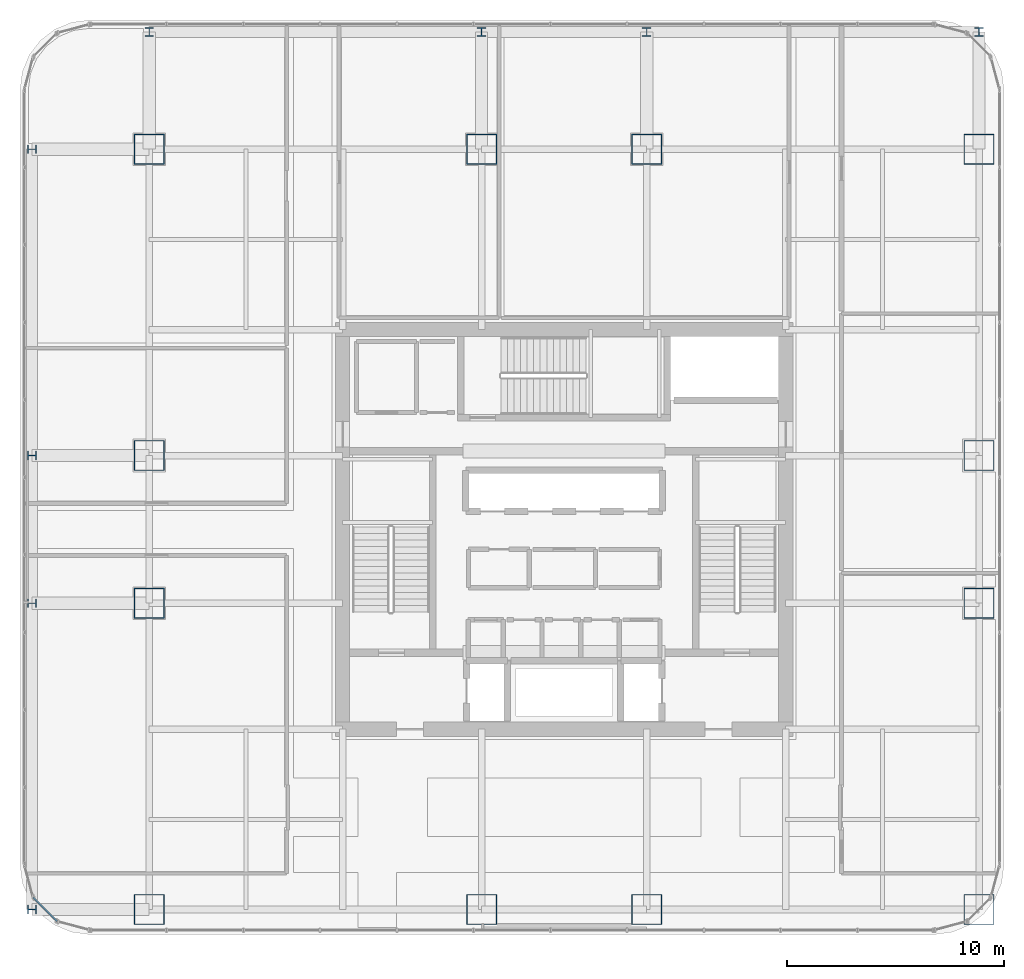
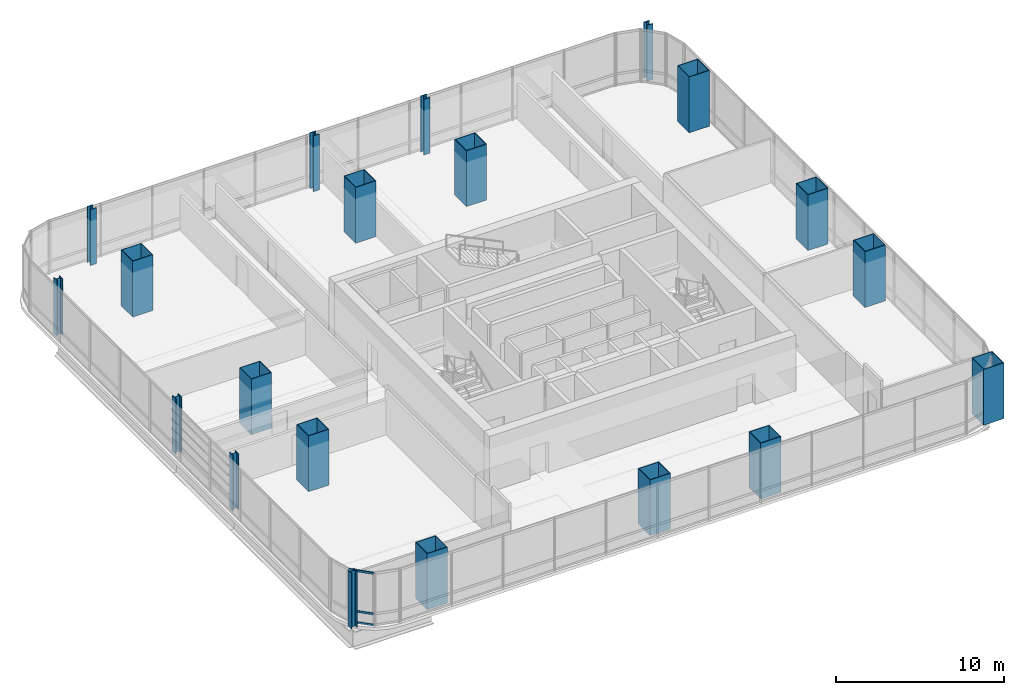
# One storey, part 1 of 38: 20 columns, 3 members, 1 element without a shape of its own.
"""IFC4 building model written with IfcOpenShell, lengths in metres."""

from ifc_helpers import new_model, si_unit, direction, frame, origin, origin_2d, place, context, subcontext, project, spatial, hollow_rectangle, i_section, extrude, material, material_profile, profile_set, type_object, element, aggregate, save


model = new_model("IFC4")

# Units and contexts
model_context = context("Model", 3, precision=1e-05, world=origin(), true_north=direction((0.0, 1.0)))
body_context = subcontext(model_context, "Body", "Model", "MODEL_VIEW")
ifc_project = project(units=[si_unit("LENGTHUNIT", "METRE"), si_unit("AREAUNIT", "SQUARE_METRE"), si_unit("VOLUMEUNIT", "CUBIC_METRE"), si_unit("PLANEANGLEUNIT", "RADIAN"), si_unit("MASSUNIT", "GRAM", prefix="KILO")], contexts=[model_context])

# Site, building, storey
site_placement = place(None, origin())
site = spatial("IfcSite", under=ifc_project, at=site_placement, CompositionType="ELEMENT")
building_placement = place(site_placement, origin())
building = spatial("IfcBuilding", under=site, at=building_placement, Name="Punatoya Terracotta Tower", CompositionType="ELEMENT")
storey_placement = place(building_placement, frame((0.0, 0.0, 147.89990234375)))
storey = spatial("IfcBuildingStorey", under=building, at=storey_placement, Name="L34", CompositionType="ELEMENT", Elevation=147.89990234375)

# Columns
ifc_material_1 = material(Name="Steel S460", Category="steel")
ifc_material_profile_1 = material_profile(ifc_material_1, i_section(OverallWidth=0.408935546875, OverallDepth=0.425048828125, WebThickness=0.031982421875, FlangeThickness=0.052001953125, FilletRadius=0.01806640625, at=origin_2d()))
ifc_profile_set_1 = profile_set([ifc_material_profile_1], Name="Steel S460")
column_type_1 = type_object("IfcColumnType", Name="COL-EX-M2", PredefinedType="COLUMN", material=ifc_profile_set_1)
for number, where, z_axis, x_axis, name in (
    (1, (-19.10009765625, 22.89990234375, 0.0), (0.0, 0.0, 1.0), (1.0, 0.0, 0.0), "L34 Exoskeleton Perimeter Column N1"),
    (2, (-3.800048828125, 22.89990234375, 0.0), (0.0, 0.0, 1.0), (1.0, 0.0, 0.0), "L34 Exoskeleton Perimeter Column N2"),
    (3, (3.800048828125, 22.89990234375, 0.0), (0.0, 0.0, 1.0), (1.0, 0.0, 0.0), "L34 Exoskeleton Perimeter Column N3"),
    (4, (19.10009765625, 22.89990234375, 0.0), (0.0, 0.0, 1.0), (1.0, 0.0, 0.0), "L34 Exoskeleton Perimeter Column N4"),
    (5, (-24.5, -17.5, 0.0), (0.0, 0.0, 1.0), (0.0, 1.0, 0.0), "L34 Exoskeleton Perimeter Column W1"),
    (6, (-24.5, -3.39990234375, 0.0), (0.0, 0.0, 1.0), (0.0, 1.0, 0.0), "L34 Exoskeleton Perimeter Column W2"),
    (7, (-24.5, 3.39990234375, 0.0), (0.0, 0.0, 1.0), (0.0, 1.0, 0.0), "L34 Exoskeleton Perimeter Column W3"),
    (8, (-24.5, 17.5, 0.0), (0.0, 0.0, 1.0), (0.0, 1.0, 0.0), "L34 Exoskeleton Perimeter Column W4"),
):
    element("IfcColumn", number, at=place(storey_placement, frame(where, z_axis=z_axis, x_axis=x_axis)), inside=storey, type_object=column_type_1, Name=name, PredefinedType="COLUMN", context=body_context, shape_type="SweptSolid", body=[
        extrude(i_section(OverallWidth=0.408935546875, OverallDepth=0.425048828125, WebThickness=0.031982421875, FlangeThickness=0.052001953125, FilletRadius=0.01806640625, at=origin_2d()), origin(), (0.0, 0.0, 1.0), 4.048095703125),
    ])
ifc_material_profile_2 = material_profile(ifc_material_1, hollow_rectangle(XDim=1.39990234375, YDim=1.39990234375, WallThickness=0.0419921875, at=origin_2d()))
ifc_profile_set_2 = profile_set([ifc_material_profile_2], Name="Steel S460")
column_type_2 = type_object("IfcColumnType", Name="COL-MC-Z2", PredefinedType="COLUMN", material=ifc_profile_set_2)
for number, where, z_axis, x_axis, name in (
    (9, (-19.10009765625, -17.5, 0.0), (0.0, 0.0, 1.0), (1.0, 0.0, 0.0), "L34 Composite Mega-Column MC-01 (3-B)"),
    (10, (-3.800048828125, -17.5, 0.0), (0.0, 0.0, 1.0), (1.0, 0.0, 0.0), "L34 Composite Mega-Column MC-02 (5-B)"),
    (11, (3.800048828125, -17.5, 0.0), (0.0, 0.0, 1.0), (1.0, 0.0, 0.0), "L34 Composite Mega-Column MC-03 (7-B)"),
    (12, (19.10009765625, -17.5, 0.0), (0.0, 0.0, 1.0), (1.0, 0.0, 0.0), "L34 Composite Mega-Column MC-04 (9-B)"),
    (13, (19.10009765625, -3.39990234375, 0.0), (0.0, 0.0, 1.0), (1.0, 0.0, 0.0), "L34 Composite Mega-Column MC-05 (9-D)"),
    (14, (19.10009765625, 3.39990234375, 0.0), (0.0, 0.0, 1.0), (1.0, 0.0, 0.0), "L34 Composite Mega-Column MC-06 (9-E)"),
    (15, (19.10009765625, 17.5, 0.0), (0.0, 0.0, 1.0), (1.0, 0.0, 0.0), "L34 Composite Mega-Column MC-07 (9-G)"),
    (16, (3.800048828125, 17.5, 0.0), (0.0, 0.0, 1.0), (1.0, 0.0, 0.0), "L34 Composite Mega-Column MC-08 (7-G)"),
    (17, (-3.800048828125, 17.5, 0.0), (0.0, 0.0, 1.0), (1.0, 0.0, 0.0), "L34 Composite Mega-Column MC-09 (5-G)"),
    (18, (-19.10009765625, 17.5, 0.0), (0.0, 0.0, 1.0), (1.0, 0.0, 0.0), "L34 Composite Mega-Column MC-10 (3-G)"),
    (19, (-19.10009765625, 3.39990234375, 0.0), (0.0, 0.0, 1.0), (1.0, 0.0, 0.0), "L34 Composite Mega-Column MC-11 (3-E)"),
    (20, (-19.10009765625, -3.39990234375, 0.0), (0.0, 0.0, 1.0), (1.0, 0.0, 0.0), "L34 Composite Mega-Column MC-12 (3-D)"),
):
    element("IfcColumn", number, at=place(storey_placement, frame(where, z_axis=z_axis, x_axis=x_axis)), inside=storey, type_object=column_type_2, Name=name, PredefinedType="COLUMN", context=body_context, shape_type="SweptSolid", body=[
        extrude(hollow_rectangle(XDim=1.39990234375, YDim=1.39990234375, WallThickness=0.0419921875, at=origin_2d()), origin(), (0.0, 0.0, 1.0), 4.050048828125),
    ])

# Curtain wall, members
ifc_material_2 = material(Name="Aluminium 6063-T6 + Double Low-E Glass", Category="aluminium")
curtain_wall_type = type_object("IfcCurtainWallType", Name="CW-M2", PredefinedType="NOTDEFINED", material=ifc_material_2)
curtain_wall_placement = place(storey_placement, origin())
curtain_wall = element("IfcCurtainWall", 21, at=curtain_wall_placement, inside=storey, type_object=curtain_wall_type, Name="L34 Curtain Wall CW-L34-CRN15", PredefinedType="NOTDEFINED")
ifc_material_3 = material(Name="Aluminium 6063-T6", Category="aluminium")
ifc_material_profile_3 = material_profile(ifc_material_3, hollow_rectangle(XDim=0.068115234375, YDim=0.14990234375, WallThickness=0.00390625, at=origin_2d()))
ifc_profile_set_3 = profile_set([ifc_material_profile_3], Name="Aluminium 6063-T6")
member_type = type_object("IfcMemberType", Name="CW-TRN-TYP", PredefinedType="USERDEFINED", material=ifc_profile_set_3)
member_1_placement = place(storey_placement, frame((-24.446533203125, -16.94921875, 0.0400390625), z_axis=(0.707106781187, -0.707106781187, 0.0), x_axis=(0.707106781187, 0.707106781187, 0.0)))
member_1 = element("IfcMember", 22, at=member_1_placement, type_object=member_type, Name="CW-L34-CRN15 Transom 1", ObjectType="TRANSOM", PredefinedType="USERDEFINED", context=body_context, shape_type="SweptSolid", body=[
    extrude(hollow_rectangle(XDim=0.068115234375, YDim=0.14990234375, WallThickness=0.00390625, at=origin_2d()), origin(), (0.0, 0.0, 1.0), 1.552001953125),
])
member_2_placement = place(storey_placement, frame((-24.446533203125, -16.94921875, 0.85009765625), z_axis=(0.707106781187, -0.707106781187, 0.0), x_axis=(0.707106781187, 0.707106781187, 0.0)))
member_2 = element("IfcMember", 23, at=member_2_placement, type_object=member_type, Name="CW-L34-CRN15 Transom 2", ObjectType="TRANSOM", PredefinedType="USERDEFINED", context=body_context, shape_type="SweptSolid", body=[
    extrude(hollow_rectangle(XDim=0.068115234375, YDim=0.14990234375, WallThickness=0.00390625, at=origin_2d()), origin(), (0.0, 0.0, 1.0), 1.552001953125),
])
member_3_placement = place(storey_placement, frame((-24.446533203125, -16.94921875, 3.7900390625), z_axis=(0.707106781187, -0.707106781187, 0.0), x_axis=(0.707106781187, 0.707106781187, 0.0)))
member_3 = element("IfcMember", 24, at=member_3_placement, type_object=member_type, Name="CW-L34-CRN15 Transom 3", ObjectType="TRANSOM", PredefinedType="USERDEFINED", context=body_context, shape_type="SweptSolid", body=[
    extrude(hollow_rectangle(XDim=0.068115234375, YDim=0.14990234375, WallThickness=0.00390625, at=origin_2d()), origin(), (0.0, 0.0, 1.0), 1.552001953125),
])
aggregate(curtain_wall, [member_1, member_2, member_3])

save(model, "model.ifc")
